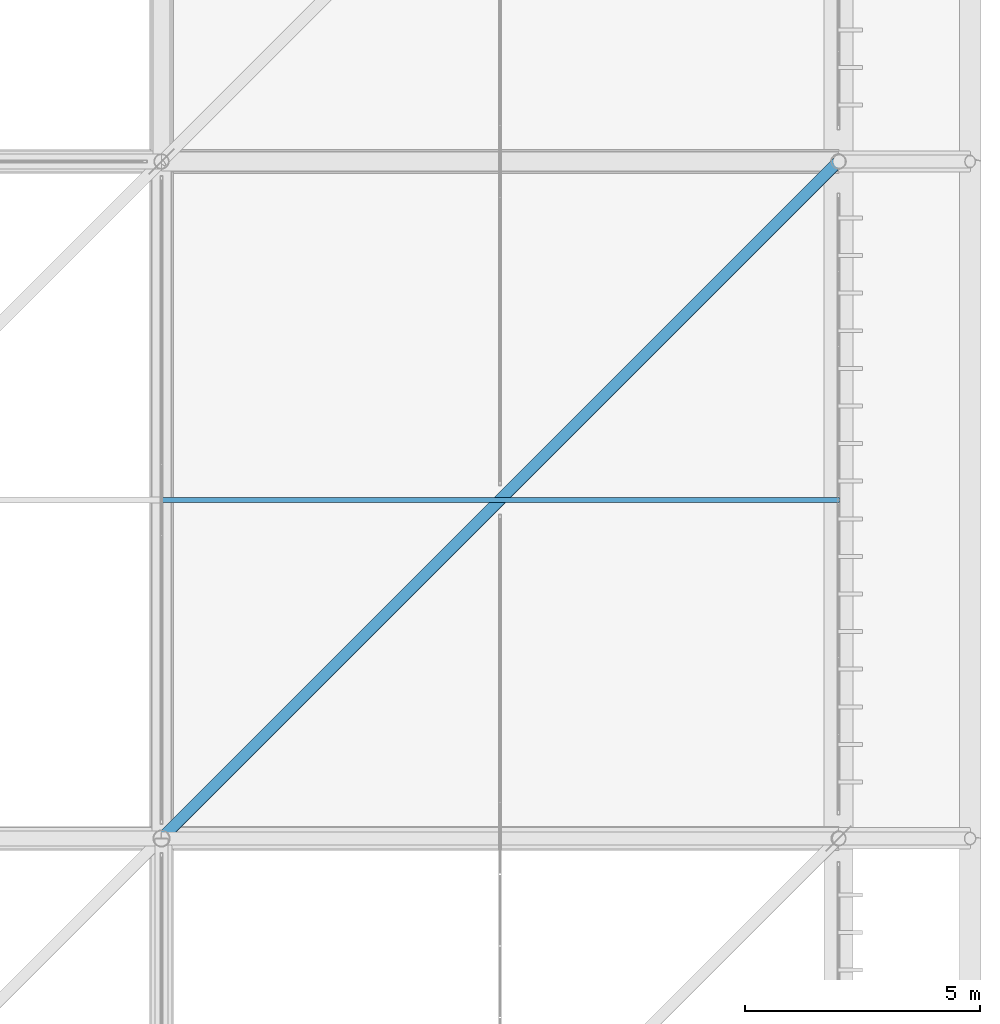
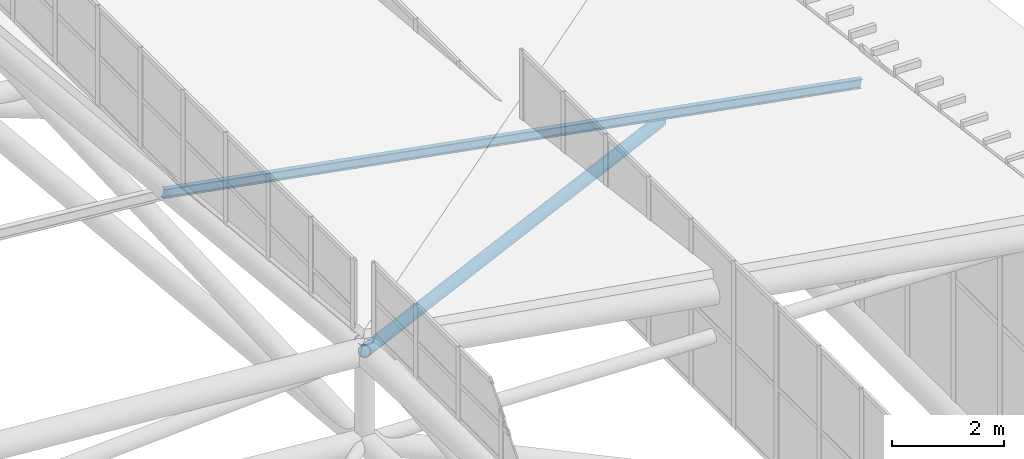
# One storey, part 293 of 397: 2 members.
"""IFC4 building model written with IfcOpenShell, lengths in metres."""

from ifc_helpers import new_model, si_unit, direction, frame, origin, origin_2d, place, context, subcontext, project, spatial, hollow_circle, i_section, extrude, material, material_profile, profile_set, type_object, element, save


model = new_model("IFC4")

# Units and contexts
model_context = context("Model", 3, precision=1e-05, world=origin(), true_north=direction((0.0, 1.0)))
body_context = subcontext(model_context, "Body", "Model", "MODEL_VIEW")
ifc_project = project(units=[si_unit("LENGTHUNIT", "METRE"), si_unit("AREAUNIT", "SQUARE_METRE"), si_unit("VOLUMEUNIT", "CUBIC_METRE"), si_unit("PLANEANGLEUNIT", "RADIAN"), si_unit("MASSUNIT", "GRAM", prefix="KILO")], contexts=[model_context])

# Site, building, storey
site_placement = place(None, origin())
site = spatial("IfcSite", under=ifc_project, at=site_placement, CompositionType="ELEMENT")
building_placement = place(site_placement, origin())
building = spatial("IfcBuilding", under=site, at=building_placement, Name="Qandorah Velis Arena", CompositionType="ELEMENT")
storey_placement = place(building_placement, frame((0.0, 0.0, 27.5)))
storey = spatial("IfcBuildingStorey", under=building, at=storey_placement, Name="RF", CompositionType="ELEMENT", Elevation=27.5)

# Members
ifc_material = material(Name="Steel S355", Category="steel")
ifc_material_profile_1 = material_profile(ifc_material, i_section(OverallWidth=0.10009765625, OverallDepth=0.199951171875, WebThickness=0.005615234375, FlangeThickness=0.008544921875, FilletRadius=0.011962890625, at=origin_2d()), Name="IPE 200")
ifc_profile_set_1 = profile_set([ifc_material_profile_1], Name="Steel S355")
member_type_1 = type_object("IfcMemberType", Name="STR-PRL-IPE200", PredefinedType="PURLIN", material=ifc_profile_set_1)
member_1_placement = place(storey_placement, frame((100.800048828125, 93.60009765625, 7.94140625), z_axis=(0.983690364316, 0.0, -0.179870139689), x_axis=(0.0, 1.0, 0.0)))
element("IfcMember", 1, at=member_1_placement, inside=storey, type_object=member_type_1, Name="Arena roof purlin PRL-6.5", PredefinedType="PURLIN", context=body_context, shape_type="SweptSolid", body=[
    extrude(i_section(OverallWidth=0.10009765625, OverallDepth=0.199951171875, WebThickness=0.005615234375, FlangeThickness=0.008544921875, FilletRadius=0.011962890625, at=origin_2d()), origin(), (0.0, 0.0, 1.0), 14.638671875),
])
ifc_material_profile_2 = material_profile(ifc_material, hollow_circle(Radius=0.122314453125, WallThickness=0.012451171875, at=origin_2d()), Name="CHS 244.5x12.5")
ifc_profile_set_2 = profile_set([ifc_material_profile_2], Name="Steel S355")
member_type_2 = type_object("IfcMemberType", Name="STR-SFD-CHS244X12", PredefinedType="STRUT", material=ifc_profile_set_2)
member_2_placement = place(storey_placement, frame((115.199951171875, 100.800048828125, 0.10009765625), z_axis=(-0.649583102958, -0.649594116201, 0.395056042288), x_axis=(0.707112775369, -0.707100786953, 0.0)))
element("IfcMember", 2, at=member_2_placement, inside=storey, type_object=member_type_2, Name="Space frame roof spatial diagonal 6.5", PredefinedType="STRUT", context=body_context, shape_type="SweptSolid", body=[
    extrude(hollow_circle(Radius=0.122314453125, WallThickness=0.012451171875, at=origin_2d()), origin(), (0.0, 0.0, 1.0), 22.16796875),
])

save(model, "model.ifc")
